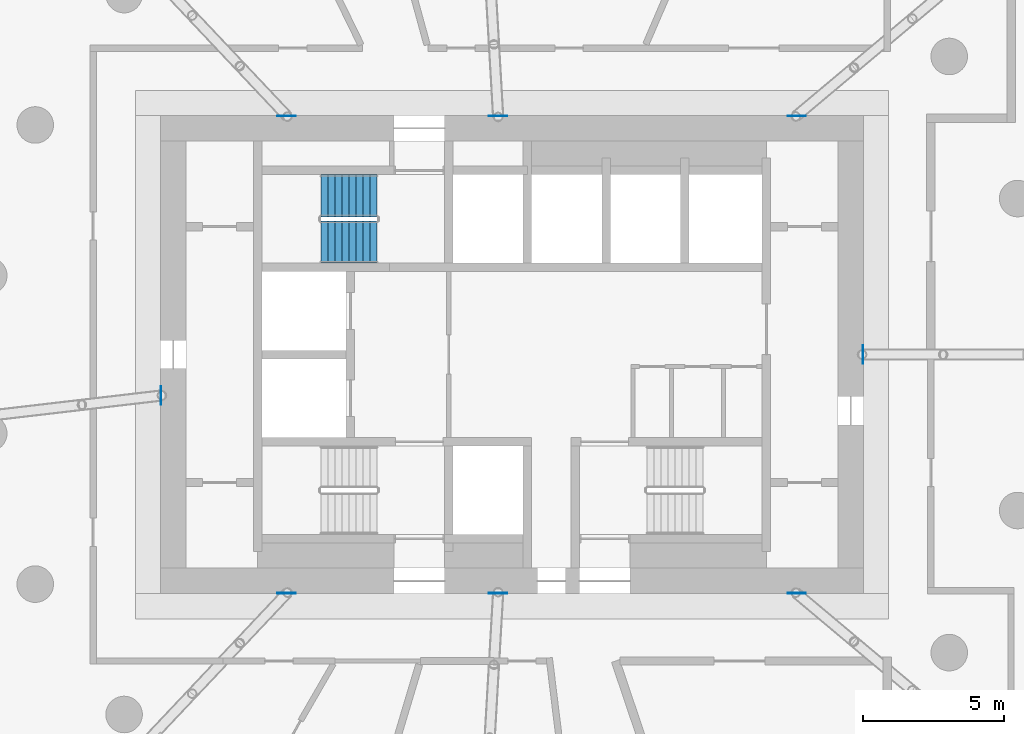
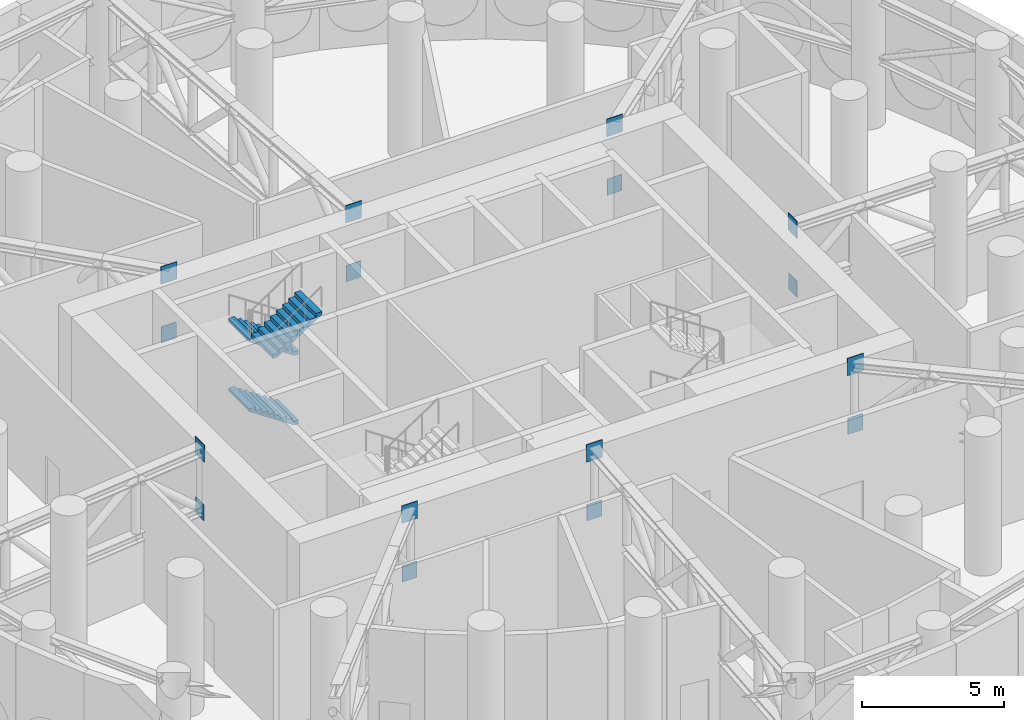
# One storey, part 14 of 15: 16 discrete accessories, 3 stair flights, 1 element without a shape of its own.
"""IFC4 building model written with IfcOpenShell, lengths in metres."""

from ifc_helpers import new_model, si_unit, direction, frame, origin, origin_2d, place, context, subcontext, project, spatial, polyline, rectangle, outline, extrude, material, layer, layer_set, type_object, element, aggregate, save


model = new_model("IFC4")

# Units and contexts
model_context = context("Model", 3, precision=1e-05, world=origin(), true_north=direction((0.0, 1.0)))
body_context = subcontext(model_context, "Body", "Model", "MODEL_VIEW")
ifc_project = project(units=[si_unit("LENGTHUNIT", "METRE"), si_unit("AREAUNIT", "SQUARE_METRE"), si_unit("VOLUMEUNIT", "CUBIC_METRE"), si_unit("PLANEANGLEUNIT", "RADIAN"), si_unit("MASSUNIT", "GRAM", prefix="KILO")], contexts=[model_context])

# Site, building, storey
site_placement = place(None, origin())
site = spatial("IfcSite", under=ifc_project, at=site_placement, CompositionType="ELEMENT")
building_placement = place(site_placement, origin())
building = spatial("IfcBuilding", under=site, at=building_placement, Name="Tracery Tower", CompositionType="ELEMENT")
storey_placement = place(building_placement, frame((0.0, 0.0, 225.0)))
storey = spatial("IfcBuildingStorey", under=building, at=storey_placement, Name="L58 Plant", CompositionType="ELEMENT", Elevation=225.0)

# Stair, stair flights
ifc_material_1 = material(Name="Concrete C32/40", Category="concrete")
stair_type = type_object("IfcStairType", Name="Core stair 36 risers", PredefinedType="HALF_TURN_STAIR", material=ifc_material_1)
stair_placement = place(storey_placement, origin())
stair = element("IfcStair", 1, at=stair_placement, inside=storey, type_object=stair_type, Name="L58 Plant stair ST3", PredefinedType="HALF_TURN_STAIR")
ifc_material_2 = material(Name="Concrete C32/40", Category="concrete")
stair_flight_type = type_object("IfcStairFlightType", Name="Core stair flight 9 risers", PredefinedType="STRAIGHT", material=ifc_material_2)
stair_flight_1_placement = place(storey_placement, frame((-4.800048828125, 5.64990234375, 0.0), z_axis=(0.0, 0.0, 1.0), x_axis=(-1.0, 0.0, 0.0)))
stair_flight_1 = element("IfcStairFlight", 2, at=stair_flight_1_placement, type_object=stair_flight_type, Name="ST3 flight 1", NumberOfRisers=9, NumberOfTreads=8, PredefinedType="STRAIGHT", RiserHeight=0.166666667, TreadLength=0.25, context=body_context, shape_type="SweptSolid", body=[
    extrude(outline(polyline([(0.0, 0.0), (0.0, 0.002685546875), (0.0, 0.00537109375), (0.0, 0.00830078125), (0.0, 0.010986328125), (0.0, 0.013671875), (0.0, 0.016357421875), (0.0, 0.01904296875), (0.0, 0.02197265625), (0.0, 0.024658203125), (0.0, 0.02734375), (0.0, 0.030029296875), (0.0, 0.03271484375), (0.0, 0.035400390625), (0.0, 0.038330078125), (0.0, 0.041015625), (0.0, 0.043701171875), (0.0, 0.04638671875), (0.0, 0.049072265625), (0.0, 0.052001953125), (0.0, 0.0546875), (0.0, 0.057373046875), (0.0, 0.06005859375), (0.0, 0.062744140625), (0.0, 0.065673828125), (0.0, 0.068359375), (0.0, 0.071044921875), (0.0, 0.07373046875), (0.0, 0.076416015625), (0.0, 0.079345703125), (0.0, 0.08203125), (0.0, 0.084716796875), (0.0, 0.08740234375), (0.0, 0.090087890625), (0.0, 0.093017578125), (0.0, 0.095703125), (0.0, 0.098388671875), (0.0, 0.10107421875), (0.0, 0.103759765625), (0.0, 0.1064453125), (0.0, 0.109375), (0.0, 0.112060546875), (0.0, 0.11474609375), (0.0, 0.117431640625), (0.0, 0.1201171875), (0.0, 0.123046875), (0.0, 0.125732421875), (0.0, 0.12841796875), (0.0, 0.131103515625), (0.0, 0.1337890625), (0.0, 0.13671875), (0.0, 0.139404296875), (0.0, 0.14208984375), (0.0, 0.144775390625), (0.0, 0.1474609375), (0.0, 0.150390625), (0.0, 0.153076171875), (0.0, 0.15576171875), (0.0, 0.158447265625), (0.0, 0.1611328125), (0.0, 0.163818359375), (0.0, 0.166748046875), (0.25, 0.166748046875), (0.25, 0.333251953125), (0.5, 0.333251953125), (0.5, 0.5), (0.75, 0.5), (0.75, 0.666748046875), (1.0, 0.666748046875), (1.0, 0.833251953125), (1.25, 0.833251953125), (1.25, 1.0), (1.5, 1.0), (1.5, 1.166748046875), (1.75, 1.166748046875), (1.75, 1.333251953125), (2.0, 1.333251953125), (2.0, 1.331298828125), (2.0, 1.329345703125), (2.0, 1.327392578125), (2.0, 1.325439453125), (2.0, 1.323486328125), (2.0, 1.321533203125), (2.0, 1.319580078125), (2.0, 1.317626953125), (2.0, 1.315673828125), (2.0, 1.313720703125), (2.0, 1.3115234375), (2.0, 1.3095703125), (2.0, 1.3076171875), (2.0, 1.3056640625), (2.0, 1.3037109375), (2.0, 1.3017578125), (2.0, 1.2998046875), (2.0, 1.2978515625), (2.0, 1.2958984375), (2.0, 1.2939453125), (2.0, 1.2919921875), (2.0, 1.2900390625), (2.0, 1.2880859375), (2.0, 1.285888671875), (2.0, 1.283935546875), (2.0, 1.281982421875), (2.0, 1.280029296875), (2.0, 1.278076171875), (2.0, 1.276123046875), (2.0, 1.274169921875), (2.0, 1.272216796875), (2.0, 1.270263671875), (2.0, 1.268310546875), (2.0, 1.266357421875), (2.0, 1.264404296875), (2.0, 1.262451171875), (2.0, 1.26025390625), (2.0, 1.25830078125), (2.0, 1.25634765625), (2.0, 1.25439453125), (2.0, 1.25244140625), (2.0, 1.25048828125), (2.0, 1.24853515625), (2.0, 1.24658203125), (2.0, 1.24462890625), (2.0, 1.24267578125), (2.0, 1.24072265625), (2.0, 1.23876953125), (2.0, 1.23681640625), (2.0, 1.234619140625), (2.0, 1.232666015625), (2.0, 1.230712890625), (2.0, 1.228759765625), (2.0, 1.226806640625), (2.0, 1.224853515625), (2.0, 1.222900390625), (2.0, 1.220947265625), (2.0, 1.218994140625), (2.0, 1.217041015625), (2.0, 1.215087890625), (2.0, 1.213134765625), (0.180419921875, 0.0), (0.0, 0.0)])), frame((0.0, 0.75, 0.0), z_axis=(0.0, -1.0, 0.0), x_axis=(1.0, 0.0, 0.0)), (0.0, 0.0, 1.0), 1.5),
])
stair_flight_2_placement = place(storey_placement, frame((-4.800048828125, 5.64990234375, 3.0), z_axis=(0.0, 0.0, 1.0), x_axis=(-1.0, 0.0, 0.0)))
stair_flight_2 = element("IfcStairFlight", 3, at=stair_flight_2_placement, type_object=stair_flight_type, Name="ST3 flight 3", NumberOfRisers=9, NumberOfTreads=8, PredefinedType="STRAIGHT", RiserHeight=0.166666667, TreadLength=0.25, context=body_context, shape_type="SweptSolid", body=[
    extrude(outline(polyline([(0.0, 0.0), (0.0, 0.002685546875), (0.0, 0.00537109375), (0.0, 0.00830078125), (0.0, 0.010986328125), (0.0, 0.013671875), (0.0, 0.016357421875), (0.0, 0.01904296875), (0.0, 0.02197265625), (0.0, 0.024658203125), (0.0, 0.02734375), (0.0, 0.030029296875), (0.0, 0.03271484375), (0.0, 0.035400390625), (0.0, 0.038330078125), (0.0, 0.041015625), (0.0, 0.043701171875), (0.0, 0.04638671875), (0.0, 0.049072265625), (0.0, 0.052001953125), (0.0, 0.0546875), (0.0, 0.057373046875), (0.0, 0.06005859375), (0.0, 0.062744140625), (0.0, 0.065673828125), (0.0, 0.068359375), (0.0, 0.071044921875), (0.0, 0.07373046875), (0.0, 0.076416015625), (0.0, 0.079345703125), (0.0, 0.08203125), (0.0, 0.084716796875), (0.0, 0.08740234375), (0.0, 0.090087890625), (0.0, 0.093017578125), (0.0, 0.095703125), (0.0, 0.098388671875), (0.0, 0.10107421875), (0.0, 0.103759765625), (0.0, 0.1064453125), (0.0, 0.109375), (0.0, 0.112060546875), (0.0, 0.11474609375), (0.0, 0.117431640625), (0.0, 0.1201171875), (0.0, 0.123046875), (0.0, 0.125732421875), (0.0, 0.12841796875), (0.0, 0.131103515625), (0.0, 0.1337890625), (0.0, 0.13671875), (0.0, 0.139404296875), (0.0, 0.14208984375), (0.0, 0.144775390625), (0.0, 0.1474609375), (0.0, 0.150390625), (0.0, 0.153076171875), (0.0, 0.15576171875), (0.0, 0.158447265625), (0.0, 0.1611328125), (0.0, 0.163818359375), (0.0, 0.166748046875), (0.25, 0.166748046875), (0.25, 0.333251953125), (0.5, 0.333251953125), (0.5, 0.5), (0.75, 0.5), (0.75, 0.666748046875), (1.0, 0.666748046875), (1.0, 0.833251953125), (1.25, 0.833251953125), (1.25, 1.0), (1.5, 1.0), (1.5, 1.166748046875), (1.75, 1.166748046875), (1.75, 1.333251953125), (2.0, 1.333251953125), (2.0, 1.331298828125), (2.0, 1.329345703125), (2.0, 1.327392578125), (2.0, 1.325439453125), (2.0, 1.323486328125), (2.0, 1.321533203125), (2.0, 1.319580078125), (2.0, 1.317626953125), (2.0, 1.315673828125), (2.0, 1.313720703125), (2.0, 1.3115234375), (2.0, 1.3095703125), (2.0, 1.3076171875), (2.0, 1.3056640625), (2.0, 1.3037109375), (2.0, 1.3017578125), (2.0, 1.2998046875), (2.0, 1.2978515625), (2.0, 1.2958984375), (2.0, 1.2939453125), (2.0, 1.2919921875), (2.0, 1.2900390625), (2.0, 1.2880859375), (2.0, 1.285888671875), (2.0, 1.283935546875), (2.0, 1.281982421875), (2.0, 1.280029296875), (2.0, 1.278076171875), (2.0, 1.276123046875), (2.0, 1.274169921875), (2.0, 1.272216796875), (2.0, 1.270263671875), (2.0, 1.268310546875), (2.0, 1.266357421875), (2.0, 1.264404296875), (2.0, 1.262451171875), (2.0, 1.26025390625), (2.0, 1.25830078125), (2.0, 1.25634765625), (2.0, 1.25439453125), (2.0, 1.25244140625), (2.0, 1.25048828125), (2.0, 1.24853515625), (2.0, 1.24658203125), (2.0, 1.24462890625), (2.0, 1.24267578125), (2.0, 1.24072265625), (2.0, 1.23876953125), (2.0, 1.23681640625), (2.0, 1.234619140625), (2.0, 1.232666015625), (2.0, 1.230712890625), (2.0, 1.228759765625), (2.0, 1.226806640625), (2.0, 1.224853515625), (2.0, 1.222900390625), (2.0, 1.220947265625), (2.0, 1.218994140625), (2.0, 1.217041015625), (2.0, 1.215087890625), (2.0, 1.213134765625), (0.180419921875, 0.0), (0.0, 0.0)])), frame((0.0, 0.75, 0.0), z_axis=(0.0, -1.0, 0.0), x_axis=(1.0, 0.0, 0.0)), (0.0, 0.0, 1.0), 1.5),
])
stair_flight_3_placement = place(storey_placement, frame((-6.800048828125, 4.0, 4.5), z_axis=(0.0, 0.0, 1.0), x_axis=(1.0, 0.0, 0.0)))
stair_flight_3 = element("IfcStairFlight", 4, at=stair_flight_3_placement, type_object=stair_flight_type, Name="ST3 flight 4", NumberOfRisers=9, NumberOfTreads=8, PredefinedType="STRAIGHT", RiserHeight=0.166666667, TreadLength=0.25, context=body_context, shape_type="SweptSolid", body=[
    extrude(outline(polyline([(0.0, 0.0), (0.0, 0.002685546875), (0.0, 0.00537109375), (0.0, 0.00830078125), (0.0, 0.010986328125), (0.0, 0.013671875), (0.0, 0.016357421875), (0.0, 0.01904296875), (0.0, 0.02197265625), (0.0, 0.024658203125), (0.0, 0.02734375), (0.0, 0.030029296875), (0.0, 0.03271484375), (0.0, 0.035400390625), (0.0, 0.038330078125), (0.0, 0.041015625), (0.0, 0.043701171875), (0.0, 0.04638671875), (0.0, 0.049072265625), (0.0, 0.052001953125), (0.0, 0.0546875), (0.0, 0.057373046875), (0.0, 0.06005859375), (0.0, 0.062744140625), (0.0, 0.065673828125), (0.0, 0.068359375), (0.0, 0.071044921875), (0.0, 0.07373046875), (0.0, 0.076416015625), (0.0, 0.079345703125), (0.0, 0.08203125), (0.0, 0.084716796875), (0.0, 0.08740234375), (0.0, 0.090087890625), (0.0, 0.093017578125), (0.0, 0.095703125), (0.0, 0.098388671875), (0.0, 0.10107421875), (0.0, 0.103759765625), (0.0, 0.1064453125), (0.0, 0.109375), (0.0, 0.112060546875), (0.0, 0.11474609375), (0.0, 0.117431640625), (0.0, 0.1201171875), (0.0, 0.123046875), (0.0, 0.125732421875), (0.0, 0.12841796875), (0.0, 0.131103515625), (0.0, 0.1337890625), (0.0, 0.13671875), (0.0, 0.139404296875), (0.0, 0.14208984375), (0.0, 0.144775390625), (0.0, 0.1474609375), (0.0, 0.150390625), (0.0, 0.153076171875), (0.0, 0.15576171875), (0.0, 0.158447265625), (0.0, 0.1611328125), (0.0, 0.163818359375), (0.0, 0.166748046875), (0.25, 0.166748046875), (0.25, 0.333251953125), (0.5, 0.333251953125), (0.5, 0.5), (0.75, 0.5), (0.75, 0.666748046875), (1.0, 0.666748046875), (1.0, 0.833251953125), (1.25, 0.833251953125), (1.25, 1.0), (1.5, 1.0), (1.5, 1.166748046875), (1.75, 1.166748046875), (1.75, 1.333251953125), (2.0, 1.333251953125), (2.0, 1.331298828125), (2.0, 1.329345703125), (2.0, 1.327392578125), (2.0, 1.325439453125), (2.0, 1.323486328125), (2.0, 1.321533203125), (2.0, 1.319580078125), (2.0, 1.317626953125), (2.0, 1.315673828125), (2.0, 1.313720703125), (2.0, 1.3115234375), (2.0, 1.3095703125), (2.0, 1.3076171875), (2.0, 1.3056640625), (2.0, 1.3037109375), (2.0, 1.3017578125), (2.0, 1.2998046875), (2.0, 1.2978515625), (2.0, 1.2958984375), (2.0, 1.2939453125), (2.0, 1.2919921875), (2.0, 1.2900390625), (2.0, 1.2880859375), (2.0, 1.285888671875), (2.0, 1.283935546875), (2.0, 1.281982421875), (2.0, 1.280029296875), (2.0, 1.278076171875), (2.0, 1.276123046875), (2.0, 1.274169921875), (2.0, 1.272216796875), (2.0, 1.270263671875), (2.0, 1.268310546875), (2.0, 1.266357421875), (2.0, 1.264404296875), (2.0, 1.262451171875), (2.0, 1.26025390625), (2.0, 1.25830078125), (2.0, 1.25634765625), (2.0, 1.25439453125), (2.0, 1.25244140625), (2.0, 1.25048828125), (2.0, 1.24853515625), (2.0, 1.24658203125), (2.0, 1.24462890625), (2.0, 1.24267578125), (2.0, 1.24072265625), (2.0, 1.23876953125), (2.0, 1.23681640625), (2.0, 1.234619140625), (2.0, 1.232666015625), (2.0, 1.230712890625), (2.0, 1.228759765625), (2.0, 1.226806640625), (2.0, 1.224853515625), (2.0, 1.222900390625), (2.0, 1.220947265625), (2.0, 1.218994140625), (2.0, 1.217041015625), (2.0, 1.215087890625), (2.0, 1.213134765625), (0.180419921875, 0.0), (0.0, 0.0)])), frame((0.0, 0.75, 0.0), z_axis=(0.0, -1.0, 0.0), x_axis=(1.0, 0.0, 0.0)), (0.0, 0.0, 1.0), 1.5),
])
aggregate(stair, [stair_flight_1, stair_flight_2, stair_flight_3])

# Discrete accessories
ifc_material_3 = material(Name="Steel S355", Category="steel")
ifc_layer_1 = layer(ifc_material_3, 0.02490234375)
ifc_layer_set_1 = layer_set([ifc_layer_1], Name="Core wall cast-in plate 600x700x25 for UKC 356x368x202")
discrete_accessory_type_1 = type_object("IfcDiscreteAccessoryType", Name="Core wall cast-in plate 600x700x25 for UKC 356x368x202", PredefinedType="ANCHORPLATE", material=ifc_layer_set_1)
discrete_accessory_1_placement = place(storey_placement, frame((12.487548828125, 0.0, 2.537109375), z_axis=(0.0, 0.0, 1.0), x_axis=(1.0, 0.0, 0.0)))
element("IfcDiscreteAccessory", 5, at=discrete_accessory_1_placement, inside=storey, type_object=discrete_accessory_type_1, Name="Outrigger 1 cast-in plate bottom", PredefinedType="ANCHORPLATE", context=body_context, shape_type="SweptSolid", body=[
    extrude(rectangle(XDim=0.02490234375, YDim=0.60009765625, at=origin_2d()), origin(), (0.0, 0.0, 1.0), 0.699951171875),
])
for number, where, z_axis, x_axis, name in (
    (6, (10.1298828125, 8.487548828125, 2.537109375), (0.0, 0.0, 1.0), (1.0, 0.0, 0.0), "Outrigger 2 cast-in plate bottom"),
    (7, (-0.4951171875, 8.487548828125, 2.537109375), (0.0, 0.0, 1.0), (1.0, 0.0, 0.0), "Outrigger 3 cast-in plate bottom"),
    (8, (-8.019287109375, 8.487548828125, 2.537109375), (0.0, 0.0, 1.0), (1.0, 0.0, 0.0), "Outrigger 4 cast-in plate bottom"),
):
    element("IfcDiscreteAccessory", number, at=place(storey_placement, frame(where, z_axis=z_axis, x_axis=x_axis)), inside=storey, type_object=discrete_accessory_type_1, Name=name, PredefinedType="ANCHORPLATE", context=body_context, shape_type="SweptSolid", body=[
        extrude(rectangle(XDim=0.60009765625, YDim=0.02490234375, at=origin_2d()), origin(), (0.0, 0.0, 1.0), 0.699951171875),
    ])
discrete_accessory_2_placement = place(storey_placement, frame((-12.487548828125, -1.4609375, 2.537109375), z_axis=(0.0, 0.0, 1.0), x_axis=(1.0, 0.0, 0.0)))
element("IfcDiscreteAccessory", 9, at=discrete_accessory_2_placement, inside=storey, type_object=discrete_accessory_type_1, Name="Outrigger 5 cast-in plate bottom", PredefinedType="ANCHORPLATE", context=body_context, shape_type="SweptSolid", body=[
    extrude(rectangle(XDim=0.02490234375, YDim=0.60009765625, at=origin_2d()), origin(), (0.0, 0.0, 1.0), 0.699951171875),
])
for number, where, z_axis, x_axis, name in (
    (10, (-8.019287109375, -8.487548828125, 2.537109375), (0.0, 0.0, 1.0), (1.0, 0.0, 0.0), "Outrigger 6 cast-in plate bottom"),
    (11, (-0.4951171875, -8.487548828125, 2.537109375), (0.0, 0.0, 1.0), (1.0, 0.0, 0.0), "Outrigger 7 cast-in plate bottom"),
    (12, (10.1298828125, -8.487548828125, 2.537109375), (0.0, 0.0, 1.0), (1.0, 0.0, 0.0), "Outrigger 8 cast-in plate bottom"),
):
    element("IfcDiscreteAccessory", number, at=place(storey_placement, frame(where, z_axis=z_axis, x_axis=x_axis)), inside=storey, type_object=discrete_accessory_type_1, Name=name, PredefinedType="ANCHORPLATE", context=body_context, shape_type="SweptSolid", body=[
        extrude(rectangle(XDim=0.60009765625, YDim=0.02490234375, at=origin_2d()), origin(), (0.0, 0.0, 1.0), 0.699951171875),
    ])
ifc_material_4 = material(Name="Steel S355", Category="steel")
ifc_layer_2 = layer(ifc_material_4, 0.02490234375)
ifc_layer_set_2 = layer_set([ifc_layer_2], Name="Core wall cast-in plate 650x750x25 for UKC 356x406x340")
discrete_accessory_type_2 = type_object("IfcDiscreteAccessoryType", Name="Core wall cast-in plate 650x750x25 for UKC 356x406x340", PredefinedType="ANCHORPLATE", material=ifc_layer_set_2)
discrete_accessory_3_placement = place(storey_placement, frame((12.487548828125, 0.0, 5.07177734375), z_axis=(0.0, 0.0, 1.0), x_axis=(1.0, 0.0, 0.0)))
element("IfcDiscreteAccessory", 13, at=discrete_accessory_3_placement, inside=storey, type_object=discrete_accessory_type_2, Name="Outrigger 1 cast-in plate top", PredefinedType="ANCHORPLATE", context=body_context, shape_type="SweptSolid", body=[
    extrude(rectangle(XDim=0.02490234375, YDim=0.64990234375, at=origin_2d()), origin(), (0.0, 0.0, 1.0), 0.75),
])
for number, where, z_axis, x_axis, name in (
    (14, (10.1298828125, 8.487548828125, 5.07177734375), (0.0, 0.0, 1.0), (1.0, 0.0, 0.0), "Outrigger 2 cast-in plate top"),
    (15, (-0.4951171875, 8.487548828125, 5.07177734375), (0.0, 0.0, 1.0), (1.0, 0.0, 0.0), "Outrigger 3 cast-in plate top"),
    (16, (-8.019287109375, 8.487548828125, 5.07177734375), (0.0, 0.0, 1.0), (1.0, 0.0, 0.0), "Outrigger 4 cast-in plate top"),
):
    element("IfcDiscreteAccessory", number, at=place(storey_placement, frame(where, z_axis=z_axis, x_axis=x_axis)), inside=storey, type_object=discrete_accessory_type_2, Name=name, PredefinedType="ANCHORPLATE", context=body_context, shape_type="SweptSolid", body=[
        extrude(rectangle(XDim=0.64990234375, YDim=0.02490234375, at=origin_2d()), origin(), (0.0, 0.0, 1.0), 0.75),
    ])
discrete_accessory_4_placement = place(storey_placement, frame((-12.487548828125, -1.4609375, 5.07177734375), z_axis=(0.0, 0.0, 1.0), x_axis=(1.0, 0.0, 0.0)))
element("IfcDiscreteAccessory", 17, at=discrete_accessory_4_placement, inside=storey, type_object=discrete_accessory_type_2, Name="Outrigger 5 cast-in plate top", PredefinedType="ANCHORPLATE", context=body_context, shape_type="SweptSolid", body=[
    extrude(rectangle(XDim=0.02490234375, YDim=0.64990234375, at=origin_2d()), origin(), (0.0, 0.0, 1.0), 0.75),
])
for number, where, z_axis, x_axis, name in (
    (18, (-8.019287109375, -8.487548828125, 5.07177734375), (0.0, 0.0, 1.0), (1.0, 0.0, 0.0), "Outrigger 6 cast-in plate top"),
    (19, (-0.4951171875, -8.487548828125, 5.07177734375), (0.0, 0.0, 1.0), (1.0, 0.0, 0.0), "Outrigger 7 cast-in plate top"),
    (20, (10.1298828125, -8.487548828125, 5.07177734375), (0.0, 0.0, 1.0), (1.0, 0.0, 0.0), "Outrigger 8 cast-in plate top"),
):
    element("IfcDiscreteAccessory", number, at=place(storey_placement, frame(where, z_axis=z_axis, x_axis=x_axis)), inside=storey, type_object=discrete_accessory_type_2, Name=name, PredefinedType="ANCHORPLATE", context=body_context, shape_type="SweptSolid", body=[
        extrude(rectangle(XDim=0.64990234375, YDim=0.02490234375, at=origin_2d()), origin(), (0.0, 0.0, 1.0), 0.75),
    ])

save(model, "model.ifc")
